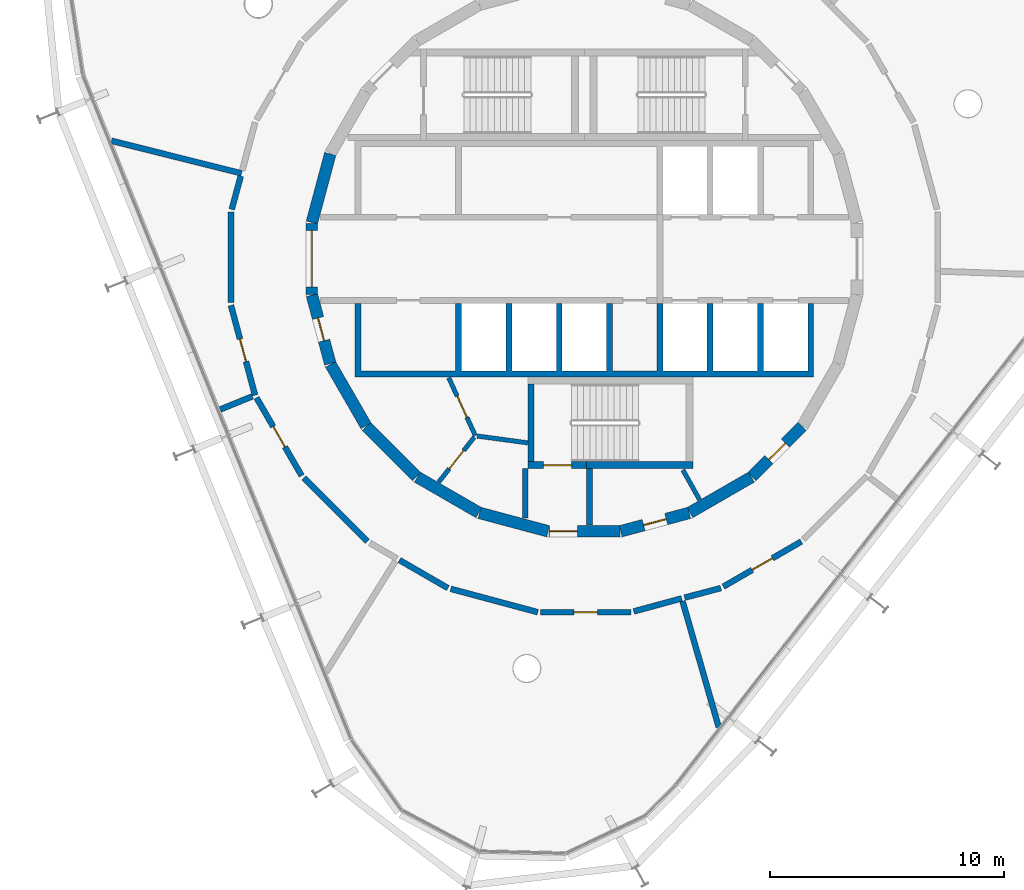
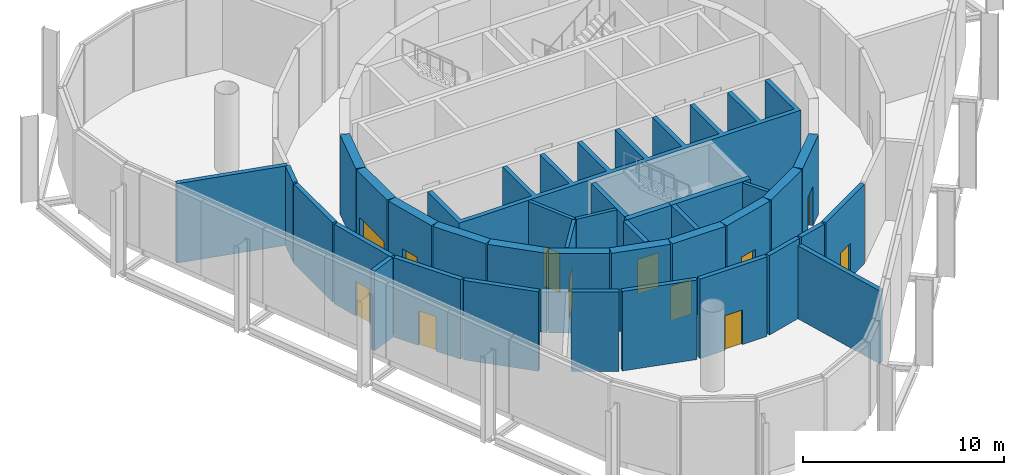
# One storey, part 9 of 12: 35 walls, 12 doors, 12 openings.
"""IFC4 building model written with IfcOpenShell, lengths in metres."""

from ifc_helpers import new_model, si_unit, direction, frame, frame_2d, origin, place, context, subcontext, project, spatial, polyline, rectangle, outline, extrude, material, layer, layer_set, type_object, element, fill, save


model = new_model("IFC4")

# Units and contexts
model_context = context("Model", 3, precision=1e-05, world=origin(), true_north=direction((0.0, 1.0)))
body_context = subcontext(model_context, "Body", "Model", "MODEL_VIEW")
ifc_project = project(units=[si_unit("LENGTHUNIT", "METRE"), si_unit("AREAUNIT", "SQUARE_METRE"), si_unit("VOLUMEUNIT", "CUBIC_METRE"), si_unit("PLANEANGLEUNIT", "RADIAN"), si_unit("MASSUNIT", "GRAM", prefix="KILO")], contexts=[model_context])

# Site, building, storey
site_placement = place(None, origin())
site = spatial("IfcSite", under=ifc_project, at=site_placement, CompositionType="ELEMENT")
building_placement = place(site_placement, origin())
building = spatial("IfcBuilding", under=site, at=building_placement, Name="Spindle Arch Residences", CompositionType="ELEMENT")
storey_placement = place(building_placement, frame((0.0, 0.0, 361.0)))
storey = spatial("IfcBuildingStorey", under=building, at=storey_placement, Name="L93", CompositionType="ELEMENT", Elevation=361.0)

# Wall, opening, door
ifc_material_1 = material(Name="Concrete C50/60", Category="concrete")
ifc_layer_1 = layer(ifc_material_1, 0.5)
ifc_layer_set_1 = layer_set([ifc_layer_1], Name="Core outline wall 500")
wall_type_1 = type_object("IfcWallType", Name="Core outline wall 500", PredefinedType="SHEAR", material=ifc_layer_set_1)
wall_1_placement = place(storey_placement, frame((1.5498046875, -11.642822265625, 0.0), z_axis=(0.0, 0.0, 1.0), x_axis=(0.965948410781, 0.258734743916, 0.0)))
wall_1 = element("IfcWall", 1, at=wall_1_placement, inside=storey, type_object=wall_type_1, Name="Core outline wall 1", PredefinedType="SHEAR", context=body_context, shape_type="SweptSolid", body=[
    extrude(rectangle(XDim=3.03271484375, YDim=0.5, at=frame_2d((1.516357421875, 0.0))), origin(), (0.0, 0.0, 1.0), 4.820068359375),
])
opening_1_placement = place(wall_1_placement, frame((1.016357421875, 0.0, 0.0)))
opening_1 = element("IfcOpeningElement", 2, at=opening_1_placement, cuts=wall_1, Name="Opening L93-PD09", PredefinedType="OPENING", context=body_context, shape_type="SweptSolid", body=[
    extrude(rectangle(XDim=1.0, YDim=2.39990234375, at=frame_2d((0.5, 1.199951171875))), frame((0.0, 0.260009765625, 0.0), z_axis=(0.0, -1.0, 0.0), x_axis=(1.0, 0.0, 0.0)), (0.0, 0.0, 1.0), 0.52001953125),
])
ifc_material_2 = material(Name="Steel, fire-resisting door", Category="steel")
door_type_1 = type_object("IfcDoorType", Name="Plant room door 1000x2400", OperationType="SINGLE_SWING_LEFT", PredefinedType="DOOR", material=ifc_material_2)
door_1_placement = place(opening_1_placement, origin())
door_1 = element("IfcDoor", 3, at=door_1_placement, inside=storey, type_object=door_type_1, Name="Plant room door L93-PD09", OperationType="SINGLE_SWING_RIGHT", OverallHeight=2.39990234375, OverallWidth=1.0, PredefinedType="DOOR", context=body_context, shape_type="SweptSolid", body=[
    extrude(rectangle(XDim=1.0, YDim=2.39990234375, at=frame_2d((0.5, 1.199951171875))), frame((0.0, 0.02490234375, 0.0), z_axis=(0.0, -1.0, 0.0), x_axis=(1.0, 0.0, 0.0)), (0.0, 0.0, 1.0), 0.050048828125),
])
fill(opening_1, door_1)

# Wall
wall_2_placement = place(storey_placement, frame((4.510498046875, -10.84521484375, 0.0), z_axis=(0.0, 0.0, 1.0), x_axis=(0.865975092491, 0.500087131594, 0.0)))
element("IfcWall", 4, at=wall_2_placement, inside=storey, type_object=wall_type_1, Name="Core outline wall 2", PredefinedType="SHEAR", context=body_context, shape_type="SweptSolid", body=[
    extrude(rectangle(XDim=3.03271484375, YDim=0.5, at=frame_2d((1.516357421875, 0.0))), origin(), (0.0, 0.0, 1.0), 4.820068359375),
])

# Wall, opening, door
wall_3_placement = place(storey_placement, frame((7.163818359375, -9.30810546875, 0.0), z_axis=(0.0, 0.0, 1.0), x_axis=(0.707106781187, 0.707106781187, 0.0)))
wall_3 = element("IfcWall", 5, at=wall_3_placement, inside=storey, type_object=wall_type_1, Name="Core outline wall 3", PredefinedType="SHEAR", context=body_context, shape_type="SweptSolid", body=[
    extrude(rectangle(XDim=3.032470703125, YDim=0.5, at=frame_2d((1.51611328125, 0.0))), origin(), (0.0, 0.0, 1.0), 4.820068359375),
])
opening_2_placement = place(wall_3_placement, frame((1.016357421875, 0.0, 0.0)))
opening_2 = element("IfcOpeningElement", 6, at=opening_2_placement, cuts=wall_3, Name="Opening L93-PD08", PredefinedType="OPENING", context=body_context, shape_type="SweptSolid", body=[
    extrude(rectangle(XDim=1.0, YDim=2.39990234375, at=frame_2d((0.5, 1.199951171875))), frame((0.0, 0.260009765625, 0.0), z_axis=(0.0, -1.0, 0.0), x_axis=(1.0, 0.0, 0.0)), (0.0, 0.0, 1.0), 0.52001953125),
])
door_2_placement = place(opening_2_placement, origin())
door_2 = element("IfcDoor", 7, at=door_2_placement, inside=storey, type_object=door_type_1, Name="Plant room door L93-PD08", OperationType="SINGLE_SWING_LEFT", OverallHeight=2.39990234375, OverallWidth=1.0, PredefinedType="DOOR", context=body_context, shape_type="SweptSolid", body=[
    extrude(rectangle(XDim=1.0, YDim=2.39990234375, at=frame_2d((0.5, 1.199951171875))), frame((0.0, 0.02490234375, 0.0), z_axis=(0.0, -1.0, 0.0), x_axis=(1.0, 0.0, 0.0)), (0.0, 0.0, 1.0), 0.050048828125),
])
fill(opening_2, door_2)

# Wall
wall_4_placement = place(storey_placement, frame((-10.858154296875, 4.479248046875, 0.0), z_axis=(0.0, 0.0, 1.0), x_axis=(-0.258734743916, -0.965948410781, 0.0)))
element("IfcWall", 8, at=wall_4_placement, inside=storey, type_object=wall_type_1, Name="Core outline wall 17", PredefinedType="SHEAR", context=body_context, shape_type="SweptSolid", body=[
    extrude(rectangle(XDim=3.03271484375, YDim=0.5, at=frame_2d((1.516357421875, 0.0))), origin(), (0.0, 0.0, 1.0), 4.820068359375),
])

# Wall, opening, door
wall_5_placement = place(storey_placement, frame((-11.647216796875, 1.516357421875, 0.0), z_axis=(0.0, 0.0, 1.0), x_axis=(0.0, -1.0, 0.0)))
wall_5 = element("IfcWall", 9, at=wall_5_placement, inside=storey, type_object=wall_type_1, Name="Core outline wall 18", PredefinedType="SHEAR", context=body_context, shape_type="SweptSolid", body=[
    extrude(rectangle(XDim=3.03271484375, YDim=0.5, at=frame_2d((1.516357421875, 0.0))), origin(), (0.0, 0.0, 1.0), 4.820068359375),
])
opening_3_placement = place(wall_5_placement, frame((0.31640625, 0.0, 0.0)))
opening_3 = element("IfcOpeningElement", 10, at=opening_3_placement, cuts=wall_5, Name="Opening L93-LE01", PredefinedType="OPENING", context=body_context, shape_type="SweptSolid", body=[
    extrude(rectangle(XDim=2.39990234375, YDim=2.10009765625, at=frame_2d((1.199951171875, 1.050048828125))), frame((0.0, 0.260009765625, 0.0), z_axis=(0.0, -1.0, 0.0), x_axis=(1.0, 0.0, 0.0)), (0.0, 0.0, 1.0), 0.52001953125),
])
ifc_material_3 = material(Name="Steel, fire-resisting door", Category="steel")
door_type_2 = type_object("IfcDoorType", Name="Lift lobby entrance door 2400x2100", OperationType="DOUBLE_DOOR_SINGLE_SWING", PredefinedType="DOOR", material=ifc_material_3)
door_3_placement = place(opening_3_placement, origin())
door_3 = element("IfcDoor", 11, at=door_3_placement, inside=storey, type_object=door_type_2, Name="Lift lobby entrance door L93-LE01", OperationType="DOUBLE_DOOR_SINGLE_SWING", OverallHeight=2.10009765625, OverallWidth=2.39990234375, PredefinedType="DOOR", context=body_context, shape_type="SweptSolid", body=[
    extrude(rectangle(XDim=2.39990234375, YDim=2.10009765625, at=frame_2d((1.199951171875, 1.050048828125))), frame((0.0, 0.02490234375, 0.0), z_axis=(0.0, -1.0, 0.0), x_axis=(1.0, 0.0, 0.0)), (0.0, 0.0, 1.0), 0.050048828125),
])
fill(opening_3, door_3)

wall_6_placement = place(storey_placement, frame((-11.642822265625, -1.5498046875, 0.0), z_axis=(0.0, 0.0, 1.0), x_axis=(0.258734743916, -0.965948410781, 0.0)))
wall_6 = element("IfcWall", 12, at=wall_6_placement, inside=storey, type_object=wall_type_1, Name="Core outline wall 19", PredefinedType="SHEAR", context=body_context, shape_type="SweptSolid", body=[
    extrude(rectangle(XDim=3.03271484375, YDim=0.5, at=frame_2d((1.516357421875, 0.0))), origin(), (0.0, 0.0, 1.0), 4.820068359375),
])
opening_4_placement = place(wall_6_placement, frame((1.016357421875, 0.0, 0.0)))
opening_4 = element("IfcOpeningElement", 13, at=opening_4_placement, cuts=wall_6, Name="Opening L93-PD10", PredefinedType="OPENING", context=body_context, shape_type="SweptSolid", body=[
    extrude(rectangle(XDim=1.0, YDim=2.39990234375, at=frame_2d((0.5, 1.199951171875))), frame((0.0, 0.260009765625, 0.0), z_axis=(0.0, -1.0, 0.0), x_axis=(1.0, 0.0, 0.0)), (0.0, 0.0, 1.0), 0.52001953125),
])
door_4_placement = place(opening_4_placement, origin())
door_4 = element("IfcDoor", 14, at=door_4_placement, inside=storey, type_object=door_type_1, Name="Plant room door L93-PD10", OperationType="SINGLE_SWING_LEFT", OverallHeight=2.39990234375, OverallWidth=1.0, PredefinedType="DOOR", context=body_context, shape_type="SweptSolid", body=[
    extrude(rectangle(XDim=1.0, YDim=2.39990234375, at=frame_2d((0.5, 1.199951171875))), frame((0.0, 0.02490234375, 0.0), z_axis=(0.0, -1.0, 0.0), x_axis=(1.0, 0.0, 0.0)), (0.0, 0.0, 1.0), 0.050048828125),
])
fill(opening_4, door_4)

# Walls
wall_7_placement = place(storey_placement, frame((-10.84521484375, -4.510498046875, 0.0), z_axis=(0.0, 0.0, 1.0), x_axis=(0.500087131594, -0.865975092491, 0.0)))
element("IfcWall", 15, at=wall_7_placement, inside=storey, type_object=wall_type_1, Name="Core outline wall 20", PredefinedType="SHEAR", context=body_context, shape_type="SweptSolid", body=[
    extrude(rectangle(XDim=3.03271484375, YDim=0.5, at=frame_2d((1.516357421875, 0.0))), origin(), (0.0, 0.0, 1.0), 4.820068359375),
])
wall_8_placement = place(storey_placement, frame((-9.30810546875, -7.163818359375, 0.0), z_axis=(0.0, 0.0, 1.0), x_axis=(0.707106781187, -0.707106781187, 0.0)))
element("IfcWall", 16, at=wall_8_placement, inside=storey, type_object=wall_type_1, Name="Core outline wall 21", PredefinedType="SHEAR", context=body_context, shape_type="SweptSolid", body=[
    extrude(rectangle(XDim=3.032470703125, YDim=0.5, at=frame_2d((1.51611328125, 0.0))), origin(), (0.0, 0.0, 1.0), 4.820068359375),
])
for number, where, z_axis, x_axis, name in (
    (17, (-7.13671875, -9.32861328125, 0.0), (0.0, 0.0, 1.0), (0.865975092491, -0.500087131594, 0.0), "Core outline wall 22"),
    (18, (-4.479248046875, -10.858154296875, 0.0), (0.0, 0.0, 1.0), (0.965948410781, -0.258734743916, 0.0), "Core outline wall 23"),
):
    element("IfcWall", number, at=place(storey_placement, frame(where, z_axis=z_axis, x_axis=x_axis)), inside=storey, type_object=wall_type_1, Name=name, PredefinedType="SHEAR", context=body_context, shape_type="SweptSolid", body=[
        extrude(rectangle(XDim=3.03271484375, YDim=0.5, at=frame_2d((1.516357421875, 0.0))), origin(), (0.0, 0.0, 1.0), 4.820068359375),
    ])

# Wall, opening, door
wall_9_placement = place(storey_placement, frame((-1.516357421875, -11.647216796875, 0.0), z_axis=(0.0, 0.0, 1.0), x_axis=(1.0, 0.0, 0.0)))
wall_9 = element("IfcWall", 19, at=wall_9_placement, inside=storey, type_object=wall_type_1, Name="Core outline wall 24", PredefinedType="SHEAR", context=body_context, shape_type="SweptSolid", body=[
    extrude(rectangle(XDim=3.03271484375, YDim=0.5, at=frame_2d((1.516357421875, 0.0))), origin(), (0.0, 0.0, 1.0), 4.820068359375),
])
opening_5_placement = place(wall_9_placement, frame((0.016357421875, 0.0, 0.0)))
opening_5 = element("IfcOpeningElement", 20, at=opening_5_placement, cuts=wall_9, Name="Opening L93-AD03", PredefinedType="OPENING", context=body_context, shape_type="SweptSolid", body=[
    extrude(rectangle(XDim=1.199951171875, YDim=2.10009765625, at=frame_2d((0.60009765625, 1.050048828125))), frame((0.0, 0.260009765625, 0.0), z_axis=(0.0, -1.0, 0.0), x_axis=(1.0, 0.0, 0.0)), (0.0, 0.0, 1.0), 0.52001953125),
])
ifc_material_4 = material(Name="Steel, fire-resisting door", Category="steel")
door_type_3 = type_object("IfcDoorType", Name="Stair airlock door 1200x2100", OperationType="SINGLE_SWING_LEFT", PredefinedType="DOOR", material=ifc_material_4)
door_5_placement = place(opening_5_placement, origin())
door_5 = element("IfcDoor", 21, at=door_5_placement, inside=storey, type_object=door_type_3, Name="Stair airlock door L93-AD03", OperationType="SINGLE_SWING_RIGHT", OverallHeight=2.10009765625, OverallWidth=1.199951171875, PredefinedType="DOOR", context=body_context, shape_type="SweptSolid", body=[
    extrude(rectangle(XDim=1.199951171875, YDim=2.10009765625, at=frame_2d((0.60009765625, 1.050048828125))), frame((0.0, 0.02490234375, 0.0), z_axis=(0.0, -1.0, 0.0), x_axis=(1.0, 0.0, 0.0)), (0.0, 0.0, 1.0), 0.050048828125),
])
fill(opening_5, door_5)

# Wall
ifc_material_5 = material(Name="Concrete C50/60", Category="concrete")
wall_type_2 = type_object("IfcWallType", Name="Lift shaft wall profile", PredefinedType="SHEAR", material=ifc_material_5)
wall_10_placement = place(storey_placement, origin())
element("IfcWall", 22, at=wall_10_placement, inside=storey, type_object=wall_type_2, Name="Lift shaft walls S", PredefinedType="SHEAR", context=body_context, shape_type="SweptSolid", body=[
    extrude(outline(polyline([(9.800048828125, -5.050048828125), (9.800048828125, -4.800048828125), (9.800048828125, -1.89990234375), (9.550048828125, -1.89990234375), (9.550048828125, -4.800048828125), (7.64990234375, -4.800048828125), (7.64990234375, -1.89990234375), (7.39990234375, -1.89990234375), (7.39990234375, -4.800048828125), (5.5, -4.800048828125), (5.5, -1.89990234375), (5.25, -1.89990234375), (5.25, -4.800048828125), (3.35009765625, -4.800048828125), (3.35009765625, -1.89990234375), (3.10009765625, -1.89990234375), (3.10009765625, -4.800048828125), (1.199951171875, -4.800048828125), (1.199951171875, -1.89990234375), (0.949951171875, -1.89990234375), (0.949951171875, -4.800048828125), (-0.949951171875, -4.800048828125), (-0.949951171875, -1.89990234375), (-1.199951171875, -1.89990234375), (-1.199951171875, -4.800048828125), (-3.10009765625, -4.800048828125), (-3.10009765625, -1.89990234375), (-3.35009765625, -1.89990234375), (-3.35009765625, -4.800048828125), (-5.25, -4.800048828125), (-5.25, -1.89990234375), (-5.5, -1.89990234375), (-5.5, -4.800048828125), (-9.550048828125, -4.800048828125), (-9.550048828125, -1.89990234375), (-9.800048828125, -1.89990234375), (-9.800048828125, -4.800048828125), (-9.800048828125, -5.050048828125), (9.800048828125, -5.050048828125)])), origin(), (0.0, 0.0, 1.0), 4.820068359375),
])

# Wall, opening, door
ifc_material_6 = material(Name="Concrete C25/30 wall", Category="concrete")
ifc_layer_2 = layer(ifc_material_6, 0.25)
ifc_layer_set_2 = layer_set([ifc_layer_2], Name="Partition EI 120 250 plant")
wall_type_3 = type_object("IfcWallType", Name="Partition EI 120 250 plant", PredefinedType="PARTITIONING", material=ifc_layer_set_2)
wall_11_placement = place(storey_placement, frame((-14.00732421875, -5.938232421875, 0.0), z_axis=(0.0, 0.0, 1.0), x_axis=(0.500708693508, -0.865615852585, 0.0)))
wall_11 = element("IfcWall", 23, at=wall_11_placement, inside=storey, type_object=wall_type_3, Name="L93-W006", PredefinedType="PARTITIONING", context=body_context, shape_type="SweptSolid", body=[
    extrude(rectangle(XDim=3.84912109375, YDim=0.25, at=frame_2d((1.924560546875, 0.0))), origin(), (0.0, 0.0, 1.0), 4.820068359375),
])
opening_6_placement = place(wall_11_placement, frame((1.424560546875, 0.0, 0.0)))
opening_6 = element("IfcOpeningElement", 24, at=opening_6_placement, cuts=wall_11, Name="Opening L93-D03", PredefinedType="OPENING", context=body_context, shape_type="SweptSolid", body=[
    extrude(rectangle(XDim=1.0, YDim=2.10009765625, at=frame_2d((0.5, 1.050048828125))), frame((0.0, 0.135009765625, 0.0), z_axis=(0.0, -1.0, 0.0), x_axis=(1.0, 0.0, 0.0)), (0.0, 0.0, 1.0), 0.27001953125),
])
ifc_material_7 = material(Name="Steel door leaf, painted", Category="steel")
door_type_4 = type_object("IfcDoorType", Name="Door 1000x2100 EI 60", OperationType="SINGLE_SWING_LEFT", PredefinedType="DOOR", material=ifc_material_7)
door_6_placement = place(opening_6_placement, origin())
door_6 = element("IfcDoor", 25, at=door_6_placement, inside=storey, type_object=door_type_4, Name="L93-D03", OperationType="SINGLE_SWING_LEFT", OverallHeight=2.10009765625, OverallWidth=1.0, PredefinedType="DOOR", context=body_context, shape_type="SweptSolid", body=[
    extrude(rectangle(XDim=1.0, YDim=2.10009765625, at=frame_2d((0.5, 1.050048828125))), frame((0.0, 0.02490234375, 0.0), z_axis=(0.0, -1.0, 0.0), x_axis=(1.0, 0.0, 0.0)), (0.0, 0.0, 1.0), 0.050048828125),
])
fill(opening_6, door_6)

# Walls
wall_12_placement = place(storey_placement, frame((-11.99169921875, -9.3583984375, 0.0), z_axis=(0.0, 0.0, 1.0), x_axis=(0.707106781187, -0.707106781187, 0.0)))
element("IfcWall", 26, at=wall_12_placement, inside=storey, type_object=wall_type_3, Name="L93-W008", PredefinedType="PARTITIONING", context=body_context, shape_type="SweptSolid", body=[
    extrude(rectangle(XDim=3.84912109375, YDim=0.25, at=frame_2d((1.924560546875, 0.0))), origin(), (0.0, 0.0, 1.0), 4.820068359375),
])
wall_13_placement = place(storey_placement, frame((-7.90185546875, -12.87255859375, 0.0), z_axis=(0.0, 0.0, 1.0), x_axis=(0.865777653854, -0.500428870157, 0.0)))
element("IfcWall", 27, at=wall_13_placement, inside=storey, type_object=wall_type_3, Name="L93-W014", PredefinedType="PARTITIONING", context=body_context, shape_type="SweptSolid", body=[
    extrude(rectangle(XDim=2.39306640625, YDim=0.25, at=frame_2d((1.196533203125, 0.0))), origin(), (0.0, 0.0, 1.0), 4.820068359375),
])
wall_14_placement = place(storey_placement, frame((-5.709228515625, -14.102294921875, 0.0), z_axis=(0.0, 0.0, 1.0), x_axis=(0.965845546311, -0.259118468411, 0.0)))
element("IfcWall", 28, at=wall_14_placement, inside=storey, type_object=wall_type_3, Name="L93-W016", PredefinedType="PARTITIONING", context=body_context, shape_type="SweptSolid", body=[
    extrude(rectangle(XDim=3.850830078125, YDim=0.25, at=frame_2d((1.92529296875, 0.0))), origin(), (0.0, 0.0, 1.0), 4.820068359375),
])

# Wall, opening, door
wall_15_placement = place(storey_placement, frame((-1.864990234375, -15.10009765625, 0.0), z_axis=(0.0, 0.0, 1.0), x_axis=(1.0, 0.0, 0.0)))
wall_15 = element("IfcWall", 29, at=wall_15_placement, inside=storey, type_object=wall_type_3, Name="L93-W018", PredefinedType="PARTITIONING", context=body_context, shape_type="SweptSolid", body=[
    extrude(rectangle(XDim=3.85498046875, YDim=0.25, at=frame_2d((1.927490234375, 0.0))), origin(), (0.0, 0.0, 1.0), 4.820068359375),
])
opening_7_placement = place(wall_15_placement, frame((1.427490234375, 0.0, 0.0)))
opening_7 = element("IfcOpeningElement", 30, at=opening_7_placement, cuts=wall_15, Name="Opening L93-D01", PredefinedType="OPENING", context=body_context, shape_type="SweptSolid", body=[
    extrude(rectangle(XDim=1.0, YDim=2.10009765625, at=frame_2d((0.5, 1.050048828125))), frame((0.0, 0.135009765625, 0.0), z_axis=(0.0, -1.0, 0.0), x_axis=(1.0, 0.0, 0.0)), (0.0, 0.0, 1.0), 0.27001953125),
])
door_7_placement = place(opening_7_placement, origin())
door_7 = element("IfcDoor", 31, at=door_7_placement, inside=storey, type_object=door_type_4, Name="L93-D01", OperationType="SINGLE_SWING_LEFT", OverallHeight=2.10009765625, OverallWidth=1.0, PredefinedType="DOOR", context=body_context, shape_type="SweptSolid", body=[
    extrude(rectangle(XDim=1.0, YDim=2.10009765625, at=frame_2d((0.5, 1.050048828125))), frame((0.0, 0.02490234375, 0.0), z_axis=(0.0, -1.0, 0.0), x_axis=(1.0, 0.0, 0.0)), (0.0, 0.0, 1.0), 0.050048828125),
])
fill(opening_7, door_7)

# Walls
wall_16_placement = place(storey_placement, frame((2.110595703125, -15.067138671875, 0.0), z_axis=(0.0, 0.0, 1.0), x_axis=(0.964975741564, 0.262339128216, 0.0)))
element("IfcWall", 32, at=wall_16_placement, inside=storey, type_object=wall_type_3, Name="L93-W020", PredefinedType="PARTITIONING", context=body_context, shape_type="SweptSolid", body=[
    extrude(rectangle(XDim=2.123779296875, YDim=0.25, at=frame_2d((1.06201171875, 0.0))), origin(), (0.0, 0.0, 1.0), 4.820068359375),
])
wall_17_placement = place(storey_placement, frame((4.194580078125, -14.630126953125, 0.0), z_axis=(0.0, 0.0, 1.0), x_axis=(0.276091885253, -0.961131245407, 0.0)))
element("IfcWall", 33, at=wall_17_placement, inside=storey, type_object=wall_type_3, Name="L93-W023", PredefinedType="PARTITIONING", context=body_context, shape_type="SweptSolid", body=[
    extrude(rectangle(XDim=5.597412109375, YDim=0.25, at=frame_2d((2.798828125, 0.0))), origin(), (0.0, 0.0, 1.0), 4.429931640625),
])
wall_18_placement = place(storey_placement, frame((4.28076171875, -14.478271484375, 0.0), z_axis=(0.0, 0.0, 1.0), x_axis=(0.966999489871, 0.254778308709, 0.0)))
element("IfcWall", 34, at=wall_18_placement, inside=storey, type_object=wall_type_3, Name="L93-W024", PredefinedType="PARTITIONING", context=body_context, shape_type="SweptSolid", body=[
    extrude(rectangle(XDim=1.602294921875, YDim=0.25, at=frame_2d((0.80126953125, 0.0))), origin(), (0.0, 0.0, 1.0), 4.820068359375),
])

# Wall, opening, door
wall_19_placement = place(storey_placement, frame((5.938232421875, -14.00732421875, 0.0), z_axis=(0.0, 0.0, 1.0), x_axis=(0.865615852585, 0.500708693508, 0.0)))
wall_19 = element("IfcWall", 35, at=wall_19_placement, inside=storey, type_object=wall_type_3, Name="L93-W025", PredefinedType="PARTITIONING", context=body_context, shape_type="SweptSolid", body=[
    extrude(rectangle(XDim=3.84912109375, YDim=0.25, at=frame_2d((1.924560546875, 0.0))), origin(), (0.0, 0.0, 1.0), 4.820068359375),
])
opening_8_placement = place(wall_19_placement, frame((1.424560546875, 0.0, 0.0)))
opening_8 = element("IfcOpeningElement", 36, at=opening_8_placement, cuts=wall_19, Name="Opening L93-D02", PredefinedType="OPENING", context=body_context, shape_type="SweptSolid", body=[
    extrude(rectangle(XDim=1.0, YDim=2.10009765625, at=frame_2d((0.5, 1.050048828125))), frame((0.0, 0.135009765625, 0.0), z_axis=(0.0, -1.0, 0.0), x_axis=(1.0, 0.0, 0.0)), (0.0, 0.0, 1.0), 0.27001953125),
])
door_8_placement = place(opening_8_placement, origin())
door_8 = element("IfcDoor", 37, at=door_8_placement, inside=storey, type_object=door_type_4, Name="L93-D02", OperationType="SINGLE_SWING_LEFT", OverallHeight=2.10009765625, OverallWidth=1.0, PredefinedType="DOOR", context=body_context, shape_type="SweptSolid", body=[
    extrude(rectangle(XDim=1.0, YDim=2.10009765625, at=frame_2d((0.5, 1.050048828125))), frame((0.0, 0.02490234375, 0.0), z_axis=(0.0, -1.0, 0.0), x_axis=(1.0, 0.0, 0.0)), (0.0, 0.0, 1.0), 0.050048828125),
])
fill(opening_8, door_8)

ifc_material_8 = material(Name="Concrete C25/30 wall", Category="concrete")
ifc_layer_3 = layer(ifc_material_8, 0.25)
ifc_layer_set_3 = layer_set([ifc_layer_3], Name="Partition EI 150 250 electrical")
wall_type_4 = type_object("IfcWallType", Name="Partition EI 150 250 electrical", PredefinedType="PARTITIONING", material=ifc_layer_set_3)
wall_20_placement = place(storey_placement, frame((-15.10009765625, -1.989990234375, 0.0), z_axis=(0.0, 0.0, 1.0), x_axis=(0.259072679895, -0.965857829358, 0.0)))
wall_20 = element("IfcWall", 38, at=wall_20_placement, inside=storey, type_object=wall_type_4, Name="L93-W001", PredefinedType="PARTITIONING", context=body_context, shape_type="SweptSolid", body=[
    extrude(rectangle(XDim=3.975830078125, YDim=0.25, at=frame_2d((1.98779296875, 0.0))), origin(), (0.0, 0.0, 1.0), 4.820068359375),
])
opening_9_placement = place(wall_20_placement, frame((1.48779296875, 0.0, 0.0)))
opening_9 = element("IfcOpeningElement", 39, at=opening_9_placement, cuts=wall_20, Name="Opening L93-D05", PredefinedType="OPENING", context=body_context, shape_type="SweptSolid", body=[
    extrude(rectangle(XDim=1.0, YDim=2.10009765625, at=frame_2d((0.5, 1.050048828125))), frame((0.0, 0.135009765625, 0.0), z_axis=(0.0, -1.0, 0.0), x_axis=(1.0, 0.0, 0.0)), (0.0, 0.0, 1.0), 0.27001953125),
])
door_9_placement = place(opening_9_placement, origin())
door_9 = element("IfcDoor", 40, at=door_9_placement, inside=storey, type_object=door_type_4, Name="L93-D05", OperationType="SINGLE_SWING_LEFT", OverallHeight=2.10009765625, OverallWidth=1.0, PredefinedType="DOOR", context=body_context, shape_type="SweptSolid", body=[
    extrude(rectangle(XDim=1.0, YDim=2.10009765625, at=frame_2d((0.5, 1.050048828125))), frame((0.0, 0.02490234375, 0.0), z_axis=(0.0, -1.0, 0.0), x_axis=(1.0, 0.0, 0.0)), (0.0, 0.0, 1.0), 0.050048828125),
])
fill(opening_9, door_9)

# Walls
wall_21_placement = place(storey_placement, frame((-15.10009765625, 1.989990234375, 0.0), z_axis=(0.0, 0.0, 1.0), x_axis=(0.0, -1.0, 0.0)))
element("IfcWall", 41, at=wall_21_placement, inside=storey, type_object=wall_type_4, Name="L93-W002", PredefinedType="PARTITIONING", context=body_context, shape_type="SweptSolid", body=[
    extrude(rectangle(XDim=3.85498046875, YDim=0.25, at=frame_2d((1.927490234375, 0.0))), origin(), (0.0, 0.0, 1.0), 4.820068359375),
])
wall_22_placement = place(storey_placement, frame((-14.64990234375, 3.64990234375, 0.0), z_axis=(0.0, 0.0, 1.0), x_axis=(-0.970034472151, 0.242967328748, 0.0)))
element("IfcWall", 42, at=wall_22_placement, inside=storey, type_object=wall_type_4, Name="L93-W003", PredefinedType="PARTITIONING", context=body_context, shape_type="SweptSolid", body=[
    extrude(rectangle(XDim=5.721435546875, YDim=0.25, at=frame_2d((2.86083984375, 0.0))), origin(), (0.0, 0.0, 1.0), 4.820068359375),
])
wall_23_placement = place(storey_placement, frame((-14.6826171875, 3.529296875, 0.0), z_axis=(0.0, 0.0, 1.0), x_axis=(-0.261753947787, -0.9651346387, 0.0)))
element("IfcWall", 43, at=wall_23_placement, inside=storey, type_object=wall_type_4, Name="L93-W004", PredefinedType="PARTITIONING", context=body_context, shape_type="SweptSolid", body=[
    extrude(rectangle(XDim=1.469970703125, YDim=0.25, at=frame_2d((0.73486328125, 0.0))), origin(), (0.0, 0.0, 1.0), 4.820068359375),
])
wall_24_placement = place(storey_placement, frame((-14.185791015625, -5.87744140625, 0.0), z_axis=(0.0, 0.0, 1.0), x_axis=(-0.925476228273, -0.378805690165, 0.0)))
element("IfcWall", 44, at=wall_24_placement, inside=storey, type_object=wall_type_4, Name="L93-W005", PredefinedType="PARTITIONING", context=body_context, shape_type="SweptSolid", body=[
    extrude(rectangle(XDim=1.48486328125, YDim=0.25, at=frame_2d((0.742431640625, 0.0))), origin(), (0.0, 0.0, 1.0), 4.820068359375),
])
ifc_material_9 = material(Name="Concrete C25/30", Category="concrete")
ifc_layer_4 = layer(ifc_material_9, 0.18994140625)
ifc_layer_set_4 = layer_set([ifc_layer_4], Name="Plant room partition 190")
wall_type_5 = type_object("IfcWallType", Name="Plant room partition 190", PredefinedType="PARTITIONING", material=ifc_layer_set_4)
wall_25_placement = place(storey_placement, frame((4.922119140625, -10.295654296875, 0.0), z_axis=(0.0, 0.0, 1.0), x_axis=(-0.48860846254, 0.872503163509, 0.0)))
element("IfcWall", 45, at=wall_25_placement, inside=storey, type_object=wall_type_5, Name="Core plant room partition", PredefinedType="PARTITIONING", context=body_context, shape_type="SweptSolid", body=[
    extrude(rectangle(XDim=1.45947265625, YDim=0.18994140625, at=frame_2d((0.729736328125, 0.0))), origin(), (0.0, 0.0, 1.0), 4.820068359375),
])

# Wall, opening, door
wall_26_placement = place(storey_placement, frame((-5.794921875, -5.086181640625, 0.0), z_axis=(0.0, 0.0, 1.0), x_axis=(0.417887867606, -0.908498613157, 0.0)))
wall_26 = element("IfcWall", 46, at=wall_26_placement, inside=storey, type_object=wall_type_5, Name="Core plant room partition", PredefinedType="PARTITIONING", context=body_context, shape_type="SweptSolid", body=[
    extrude(rectangle(XDim=2.72607421875, YDim=0.18994140625, at=frame_2d((1.363037109375, 0.0))), origin(), (0.0, 0.0, 1.0), 4.820068359375),
])
opening_10_placement = place(wall_26_placement, frame((0.86279296875, 0.0, 0.0)))
opening_10 = element("IfcOpeningElement", 47, at=opening_10_placement, cuts=wall_26, Name="Opening L93-PD06", PredefinedType="OPENING", context=body_context, shape_type="SweptSolid", body=[
    extrude(rectangle(XDim=1.0, YDim=2.39990234375, at=frame_2d((0.5, 1.199951171875))), frame((0.0, 0.10498046875, 0.0), z_axis=(0.0, -1.0, 0.0), x_axis=(1.0, 0.0, 0.0)), (0.0, 0.0, 1.0), 0.2099609375),
])
door_10_placement = place(opening_10_placement, origin())
door_10 = element("IfcDoor", 48, at=door_10_placement, inside=storey, type_object=door_type_1, Name="Plant room door L93-PD06", OperationType="SINGLE_SWING_LEFT", OverallHeight=2.39990234375, OverallWidth=1.0, PredefinedType="DOOR", context=body_context, shape_type="SweptSolid", body=[
    extrude(rectangle(XDim=1.0, YDim=2.39990234375, at=frame_2d((0.5, 1.199951171875))), frame((0.0, 0.02490234375, 0.0), z_axis=(0.0, -1.0, 0.0), x_axis=(1.0, 0.0, 0.0)), (0.0, 0.0, 1.0), 0.050048828125),
])
fill(opening_10, door_10)

wall_27_placement = place(storey_placement, frame((-4.70556640625, -7.62548828125, 0.0), z_axis=(0.0, 0.0, 1.0), x_axis=(-0.621392599334, -0.783499353856, 0.0)))
wall_27 = element("IfcWall", 49, at=wall_27_placement, inside=storey, type_object=wall_type_5, Name="Core plant room partition", PredefinedType="PARTITIONING", context=body_context, shape_type="SweptSolid", body=[
    extrude(rectangle(XDim=2.447265625, YDim=0.18994140625, at=frame_2d((1.2236328125, 0.0))), origin(), (0.0, 0.0, 1.0), 4.820068359375),
])
opening_11_placement = place(wall_27_placement, frame((0.7236328125, 0.0, 0.0)))
opening_11 = element("IfcOpeningElement", 50, at=opening_11_placement, cuts=wall_27, Name="Opening L93-PD07", PredefinedType="OPENING", context=body_context, shape_type="SweptSolid", body=[
    extrude(rectangle(XDim=1.0, YDim=2.39990234375, at=frame_2d((0.5, 1.199951171875))), frame((0.0, 0.10498046875, 0.0), z_axis=(0.0, -1.0, 0.0), x_axis=(1.0, 0.0, 0.0)), (0.0, 0.0, 1.0), 0.2099609375),
])
door_11_placement = place(opening_11_placement, origin())
door_11 = element("IfcDoor", 51, at=door_11_placement, inside=storey, type_object=door_type_1, Name="Plant room door L93-PD07", OperationType="SINGLE_SWING_RIGHT", OverallHeight=2.39990234375, OverallWidth=1.0, PredefinedType="DOOR", context=body_context, shape_type="SweptSolid", body=[
    extrude(rectangle(XDim=1.0, YDim=2.39990234375, at=frame_2d((0.5, 1.199951171875))), frame((0.0, 0.02490234375, 0.0), z_axis=(0.0, -1.0, 0.0), x_axis=(1.0, 0.0, 0.0)), (0.0, 0.0, 1.0), 0.050048828125),
])
fill(opening_11, door_11)

# Walls
wall_28_placement = place(storey_placement, frame((-2.419921875, -7.865234375, 0.0), z_axis=(0.0, 0.0, 1.0), x_axis=(-0.990972299108, 0.134066783362, 0.0)))
element("IfcWall", 52, at=wall_28_placement, inside=storey, type_object=wall_type_5, Name="Core plant room partition", PredefinedType="PARTITIONING", context=body_context, shape_type="SweptSolid", body=[
    extrude(rectangle(XDim=2.176025390625, YDim=0.18994140625, at=frame_2d((1.087890625, 0.0))), origin(), (0.0, 0.0, 1.0), 4.820068359375),
])
ifc_material_10 = material(Name="Concrete C40/50", Category="concrete")
ifc_layer_5 = layer(ifc_material_10, 0.25)
ifc_layer_set_5 = layer_set([ifc_layer_5], Name="Stair airlock wall 250")
wall_type_6 = type_object("IfcWallType", Name="Stair airlock wall 250", PredefinedType="SHEAR", material=ifc_layer_set_5)
wall_29_placement = place(storey_placement, frame((-2.52490234375, -8.969970703125, 0.0), z_axis=(0.0, 0.0, 1.0), x_axis=(0.0, -1.0, 0.0)))
element("IfcWall", 53, at=wall_29_placement, inside=storey, type_object=wall_type_6, Name="Stair ST-3 airlock wall W", PredefinedType="SHEAR", context=body_context, shape_type="SweptSolid", body=[
    extrude(rectangle(XDim=2.110107421875, YDim=0.25, at=frame_2d((1.05517578125, 0.0))), origin(), (0.0, 0.0, 1.0), 4.820068359375),
])
wall_30_placement = place(storey_placement, frame((0.22509765625, -8.969970703125, 0.0), z_axis=(0.0, 0.0, 1.0), x_axis=(0.0, -1.0, 0.0)))
element("IfcWall", 54, at=wall_30_placement, inside=storey, type_object=wall_type_6, Name="Stair ST-3 airlock wall E", PredefinedType="SHEAR", context=body_context, shape_type="SweptSolid", body=[
    extrude(rectangle(XDim=2.409912109375, YDim=0.25, at=frame_2d((1.205078125, 0.0))), origin(), (0.0, 0.0, 1.0), 4.820068359375),
])
ifc_material_11 = material(Name="Concrete C50/60", Category="concrete")
ifc_layer_6 = layer(ifc_material_11, 0.25)
ifc_layer_set_6 = layer_set([ifc_layer_6], Name="Stair enclosure wall 250")
wall_type_7 = type_object("IfcWallType", Name="Stair enclosure wall 250", PredefinedType="SHEAR", material=ifc_layer_set_6)
wall_31_placement = place(storey_placement, frame((-2.27490234375, -8.669921875, 0.0), z_axis=(0.0, 0.0, 1.0), x_axis=(0.0, 1.0, 0.0)))
element("IfcWall", 55, at=wall_31_placement, inside=storey, type_object=wall_type_7, Name="Stair ST-3 enclosure wall W", PredefinedType="SHEAR", context=body_context, shape_type="SweptSolid", body=[
    extrude(rectangle(XDim=3.31982421875, YDim=0.25, at=frame_2d((1.659912109375, 0.0))), origin(), (0.0, 0.0, 1.0), 4.820068359375),
])
ifc_material_12 = material(Name="Concrete C50/60", Category="concrete")
ifc_layer_7 = layer(ifc_material_12, 0.300048828125)
ifc_layer_set_7 = layer_set([ifc_layer_7], Name="Stair enclosure wall 300")
wall_type_8 = type_object("IfcWallType", Name="Stair enclosure wall 300", PredefinedType="SHEAR", material=ifc_layer_set_7)
wall_32_placement = place(storey_placement, frame((0.10009765625, -8.820068359375, 0.0), z_axis=(0.0, 0.0, 1.0), x_axis=(1.0, 0.0, 0.0)))
element("IfcWall", 56, at=wall_32_placement, inside=storey, type_object=wall_type_8, Name="Stair ST-3 enclosure wall S", PredefinedType="SHEAR", context=body_context, shape_type="SweptSolid", body=[
    extrude(rectangle(XDim=4.5498046875, YDim=0.300048828125, at=frame_2d((2.27490234375, 0.0))), origin(), (0.0, 0.0, 1.0), 4.820068359375),
])

# Wall, opening, door
wall_33_placement = place(storey_placement, frame((-2.39990234375, -8.820068359375, 0.0), z_axis=(0.0, 0.0, 1.0), x_axis=(1.0, 0.0, 0.0)))
wall_33 = element("IfcWall", 57, at=wall_33_placement, inside=storey, type_object=wall_type_8, Name="Stair ST-3 door wall", PredefinedType="SHEAR", context=body_context, shape_type="SweptSolid", body=[
    extrude(rectangle(XDim=2.5, YDim=0.300048828125, at=frame_2d((1.25, 0.0))), origin(), (0.0, 0.0, 1.0), 4.820068359375),
])
opening_12_placement = place(wall_33_placement, frame((0.64990234375, 0.0, 0.0)))
opening_12 = element("IfcOpeningElement", 58, at=opening_12_placement, cuts=wall_33, Name="Opening L93-SD03", PredefinedType="OPENING", context=body_context, shape_type="SweptSolid", body=[
    extrude(rectangle(XDim=1.199951171875, YDim=2.10009765625, at=frame_2d((0.60009765625, 1.050048828125))), frame((0.0, 0.16015625, 0.0), z_axis=(0.0, -1.0, 0.0), x_axis=(1.0, 0.0, 0.0)), (0.0, 0.0, 1.0), 0.320068359375),
])
ifc_material_13 = material(Name="Steel, fire-resisting door", Category="steel")
door_type_5 = type_object("IfcDoorType", Name="Stair door 1200x2100", OperationType="SINGLE_SWING_RIGHT", PredefinedType="DOOR", material=ifc_material_13)
door_12_placement = place(opening_12_placement, origin())
door_12 = element("IfcDoor", 59, at=door_12_placement, inside=storey, type_object=door_type_5, Name="Stair door L93-SD03", OperationType="SINGLE_SWING_LEFT", OverallHeight=2.10009765625, OverallWidth=1.199951171875, PredefinedType="DOOR", context=body_context, shape_type="SweptSolid", body=[
    extrude(rectangle(XDim=1.199951171875, YDim=2.10009765625, at=frame_2d((0.60009765625, 1.050048828125))), frame((0.0, 0.02490234375, 0.0), z_axis=(0.0, -1.0, 0.0), x_axis=(1.0, 0.0, 0.0)), (0.0, 0.0, 1.0), 0.050048828125),
])
fill(opening_12, door_12)

save(model, "model.ifc")
